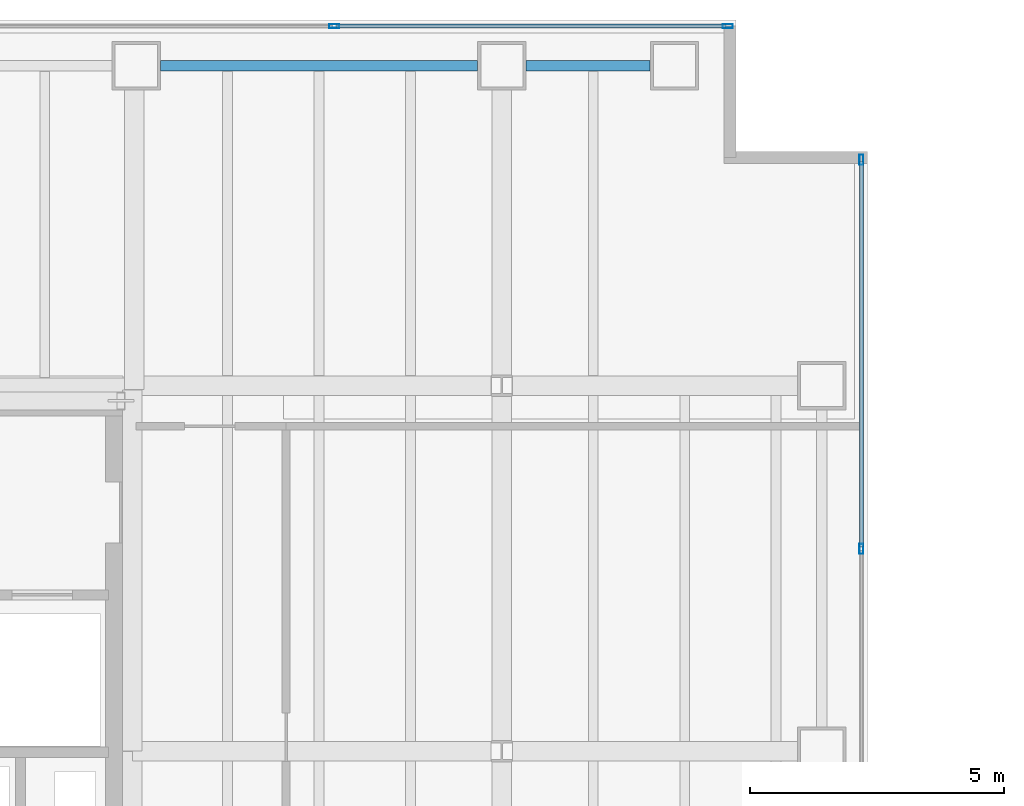
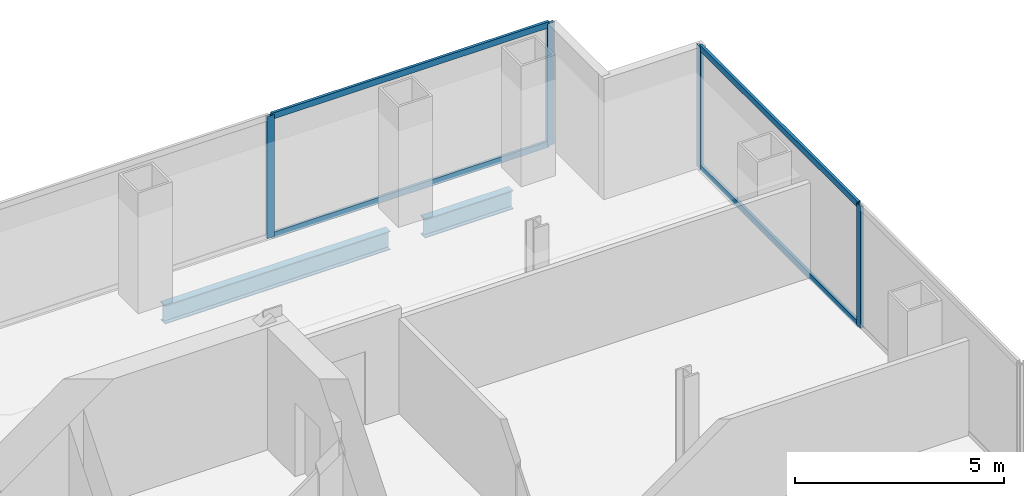
# One storey, part 18 of 24: 8 members, 2 beams, 2 elements without a shape of their own.
"""IFC4 building model written with IfcOpenShell, lengths in metres."""

from ifc_helpers import new_model, si_unit, direction, frame, origin, origin_2d, place, context, subcontext, project, spatial, hollow_rectangle, i_section, extrude, material, material_profile, profile_set, type_object, element, aggregate, save


model = new_model("IFC4")

# Units and contexts
model_context = context("Model", 3, precision=1e-05, world=origin(), true_north=direction((0.0, 1.0)))
body_context = subcontext(model_context, "Body", "Model", "MODEL_VIEW")
ifc_project = project(units=[si_unit("LENGTHUNIT", "METRE"), si_unit("AREAUNIT", "SQUARE_METRE"), si_unit("VOLUMEUNIT", "CUBIC_METRE"), si_unit("PLANEANGLEUNIT", "RADIAN"), si_unit("MASSUNIT", "GRAM", prefix="KILO")], contexts=[model_context])

# Site, building, storey
site_placement = place(None, origin())
site = spatial("IfcSite", under=ifc_project, at=site_placement, CompositionType="ELEMENT")
building_placement = place(site_placement, origin())
building = spatial("IfcBuilding", under=site, at=building_placement, Name="Cobrela Telecom Tower", CompositionType="ELEMENT")
storey_placement = place(building_placement, frame((0.0, 0.0, 85.050048828125)))
storey = spatial("IfcBuildingStorey", under=building, at=storey_placement, Name="L21", CompositionType="ELEMENT", Elevation=85.050048828125)

# Beams
ifc_material_1 = material(Name="Steel ASTM A992 Grade 50", Category="steel")
ifc_material_profile_1 = material_profile(ifc_material_1, i_section(OverallWidth=0.212890625, OverallDepth=0.549072265625, WebThickness=0.0146484375, FlangeThickness=0.023681640625, FilletRadius=0.013916015625, at=origin_2d()), Name="W21X93")
ifc_profile_set_1 = profile_set([ifc_material_profile_1], Name="Steel ASTM A992 Grade 50")
beam_type = type_object("IfcBeamType", Name="BM-SPAND-03", PredefinedType="SPANDREL", material=ifc_profile_set_1)
beam_1_placement = place(storey_placement, frame((14.8798828125, 42.300048828125, -0.554443359375), z_axis=(1.0, 0.0, 0.0), x_axis=(0.0, 1.0, 0.0)))
element("IfcBeam", 1, at=beam_1_placement, inside=storey, type_object=beam_type, Name="L21 Perimeter Spandrel X30", PredefinedType="SPANDREL", context=body_context, shape_type="SweptSolid", body=[
    extrude(i_section(OverallWidth=0.212890625, OverallDepth=0.549072265625, WebThickness=0.0146484375, FlangeThickness=0.023681640625, FilletRadius=0.013916015625, at=origin_2d()), origin(), (0.0, 0.0, 1.0), 6.240234375),
])
beam_2_placement = place(storey_placement, frame((22.080078125, 42.300048828125, -0.554443359375), z_axis=(1.0, 0.0, 0.0), x_axis=(0.0, 1.0, 0.0)))
element("IfcBeam", 2, at=beam_2_placement, inside=storey, type_object=beam_type, Name="L21 Perimeter Spandrel X31", PredefinedType="SPANDREL", context=body_context, shape_type="SweptSolid", body=[
    extrude(i_section(OverallWidth=0.212890625, OverallDepth=0.549072265625, WebThickness=0.0146484375, FlangeThickness=0.023681640625, FilletRadius=0.013916015625, at=origin_2d()), origin(), (0.0, 0.0, 1.0), 2.43994140625),
])

# Curtain wall, members
ifc_material_2 = material(Name="Anodized Bronze Aluminium 6063-T6", Category="aluminium")
curtain_wall_type = type_object("IfcCurtainWallType", Name="CW-SYS-DATA", PredefinedType="USERDEFINED", material=ifc_material_2)
curtain_wall_1_placement = place(storey_placement, origin())
curtain_wall_1 = element("IfcCurtainWall", 3, at=curtain_wall_1_placement, inside=storey, type_object=curtain_wall_type, Name="L21 Unitised Bronze Curtain Wall 07", ObjectType="UNITISED CURTAIN WALL", PredefinedType="USERDEFINED")
ifc_material_profile_2 = material_profile(ifc_material_2, hollow_rectangle(XDim=0.080078125, YDim=0.199951171875, WallThickness=0.00390625, at=origin_2d()), Name="ALU 80x200x4")
ifc_profile_set_2 = profile_set([ifc_material_profile_2], Name="Anodized Bronze Aluminium 6063-T6")
member_type_1 = type_object("IfcMemberType", Name="CW-SYS-DATA-MUL", PredefinedType="MULLION", material=ifc_profile_set_2)
member_1_placement = place(storey_placement, frame((18.296630859375, 43.080078125, 0.0), z_axis=(0.0, 0.0, 1.0), x_axis=(0.0, 1.0, 0.0)))
member_1 = element("IfcMember", 4, at=member_1_placement, type_object=member_type_1, Name="CW-DATA mullion 3", PredefinedType="MULLION", context=body_context, shape_type="SweptSolid", body=[
    extrude(hollow_rectangle(XDim=0.080078125, YDim=0.199951171875, WallThickness=0.00390625, at=origin_2d()), origin(), (0.0, 0.0, 1.0), 3.570068359375),
])
member_2_placement = place(storey_placement, frame((26.050048828125, 43.080078125, 0.0), z_axis=(0.0, 0.0, 1.0), x_axis=(0.0, 1.0, 0.0)))
member_2 = element("IfcMember", 5, at=member_2_placement, type_object=member_type_1, Name="CW-DATA mullion 4", PredefinedType="MULLION", context=body_context, shape_type="SweptSolid", body=[
    extrude(hollow_rectangle(XDim=0.080078125, YDim=0.199951171875, WallThickness=0.00390625, at=origin_2d()), origin(), (0.0, 0.0, 1.0), 3.570068359375),
])

curtain_wall_2_placement = place(storey_placement, origin())
curtain_wall_2 = element("IfcCurtainWall", 6, at=curtain_wall_2_placement, inside=storey, type_object=curtain_wall_type, Name="L21 Unitised Bronze Curtain Wall 10", ObjectType="UNITISED CURTAIN WALL", PredefinedType="USERDEFINED")
member_3_placement = place(storey_placement, frame((28.679931640625, 40.449951171875, 0.0), z_axis=(0.0, 0.0, 1.0), x_axis=(1.0, 0.0, 0.0)))
member_3 = element("IfcMember", 7, at=member_3_placement, type_object=member_type_1, Name="CW-DATA mullion 1", PredefinedType="MULLION", context=body_context, shape_type="SweptSolid", body=[
    extrude(hollow_rectangle(XDim=0.080078125, YDim=0.199951171875, WallThickness=0.00390625, at=origin_2d()), origin(), (0.0, 0.0, 1.0), 3.570068359375),
])
member_4_placement = place(storey_placement, frame((28.679931640625, 32.784912109375, 0.0), z_axis=(0.0, 0.0, 1.0), x_axis=(1.0, 0.0, 0.0)))
member_4 = element("IfcMember", 8, at=member_4_placement, type_object=member_type_1, Name="CW-DATA mullion 2", PredefinedType="MULLION", context=body_context, shape_type="SweptSolid", body=[
    extrude(hollow_rectangle(XDim=0.080078125, YDim=0.199951171875, WallThickness=0.00390625, at=origin_2d()), origin(), (0.0, 0.0, 1.0), 3.570068359375),
])

# Member
ifc_material_profile_3 = material_profile(ifc_material_2, hollow_rectangle(XDim=0.074951171875, YDim=0.179931640625, WallThickness=0.00390625, at=origin_2d()), Name="ALU 75x180x4")
ifc_profile_set_3 = profile_set([ifc_material_profile_3], Name="Anodized Bronze Aluminium 6063-T6")
member_type_2 = type_object("IfcMemberType", Name="CW-SYS-DATA-TRN", PredefinedType="USERDEFINED", material=ifc_profile_set_3)
member_5_placement = place(storey_placement, frame((18.336669921875, 43.080078125, 0.037353515625), z_axis=(1.0, 0.0, 0.0), x_axis=(0.0, 1.0, 0.0)))
member_5 = element("IfcMember", 9, at=member_5_placement, type_object=member_type_2, Name="CW-DATA transom 3.1", ObjectType="TRANSOM", PredefinedType="USERDEFINED", context=body_context, shape_type="SweptSolid", body=[
    extrude(hollow_rectangle(XDim=0.074951171875, YDim=0.179931640625, WallThickness=0.00390625, at=origin_2d()), origin(), (0.0, 0.0, 1.0), 7.67333984375),
])

member_6_placement = place(storey_placement, frame((18.336669921875, 43.080078125, 3.532470703125), z_axis=(1.0, 0.0, 0.0), x_axis=(0.0, 1.0, 0.0)))
member_6 = element("IfcMember", 10, at=member_6_placement, type_object=member_type_2, Name="CW-DATA transom 3.2", ObjectType="TRANSOM", PredefinedType="USERDEFINED", context=body_context, shape_type="SweptSolid", body=[
    extrude(hollow_rectangle(XDim=0.074951171875, YDim=0.179931640625, WallThickness=0.00390625, at=origin_2d()), origin(), (0.0, 0.0, 1.0), 7.67333984375),
])

aggregate(curtain_wall_1, [member_1, member_2, member_5, member_6])

member_7_placement = place(storey_placement, frame((28.679931640625, 40.409912109375, 0.037353515625), z_axis=(0.0, -1.0, 0.0), x_axis=(1.0, 0.0, 0.0)))
member_7 = element("IfcMember", 11, at=member_7_placement, type_object=member_type_2, Name="CW-DATA transom 1.1", ObjectType="TRANSOM", PredefinedType="USERDEFINED", context=body_context, shape_type="SweptSolid", body=[
    extrude(hollow_rectangle(XDim=0.074951171875, YDim=0.179931640625, WallThickness=0.00390625, at=origin_2d()), origin(), (0.0, 0.0, 1.0), 7.5849609375),
])

member_8_placement = place(storey_placement, frame((28.679931640625, 40.409912109375, 3.532470703125), z_axis=(0.0, -1.0, 0.0), x_axis=(1.0, 0.0, 0.0)))
member_8 = element("IfcMember", 12, at=member_8_placement, type_object=member_type_2, Name="CW-DATA transom 1.2", ObjectType="TRANSOM", PredefinedType="USERDEFINED", context=body_context, shape_type="SweptSolid", body=[
    extrude(hollow_rectangle(XDim=0.074951171875, YDim=0.179931640625, WallThickness=0.00390625, at=origin_2d()), origin(), (0.0, 0.0, 1.0), 7.5849609375),
])

aggregate(curtain_wall_2, [member_3, member_4, member_7, member_8])

save(model, "model.ifc")
